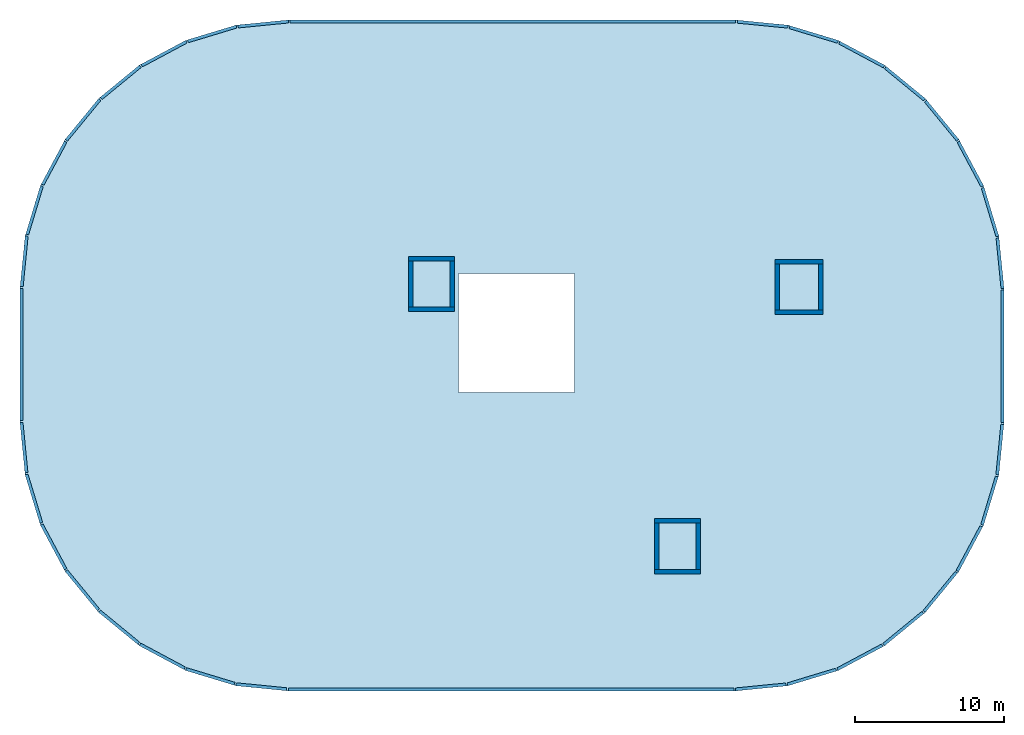
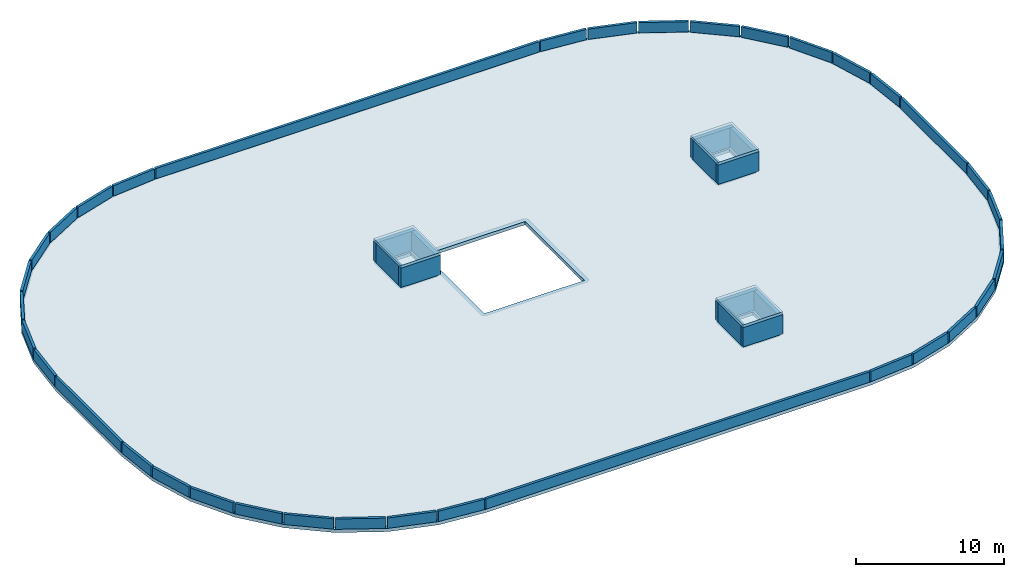
# One storey, part 1 of 2: 48 walls, 4 slabs, 1 element without a shape of its own.
"""IFC4 building model written with IfcOpenShell, lengths in metres."""

import ifcopenshell
import ifcopenshell.guid

model = None  # the IFC model being written
_history = None  # IfcOwnerHistory: only IFC2X3 demands one
_inside = {}  # id of a spatial element -> (the spatial element, [elements in it])
_under = {}  # id of a project, library or spatial element -> (it, [spatial elements below it])
_declared = {}  # id of a project -> (the project, [libraries it declares])
_typed = {}  # id of a type object -> (the type object, [elements of that type])
_made_of = {}  # id of a material, layer set ... -> (it, [elements and type objects made of it])


def new_model(schema):
    """Start an empty IFC model of exactly this schema.

    Asked for "IFC4X3", IfcOpenShell would pick the latest addendum, in which some entities
    have other attributes; the version numbers below select the first issue.
    IFC2X3 requires an IfcOwnerHistory on every rooted entity: one is made here for all.
    """
    global model, _history
    if schema == "IFC4X3":
        model = ifcopenshell.file(schema_version=(4, 3, 0, 0))
    else:
        model = ifcopenshell.file(schema=schema)
    _inside.clear()
    _under.clear()
    _declared.clear()
    _typed.clear()
    _made_of.clear()
    _history = None
    if model.schema == "IFC2X3":
        org = make("IfcOrganization", Name="unknown")
        user = make(
            "IfcPersonAndOrganization",
            ThePerson=make("IfcPerson", FamilyName="unknown"),
            TheOrganization=org,
        )
        app = make(
            "IfcApplication",
            ApplicationDeveloper=org,
            Version="unknown",
            ApplicationFullName="unknown",
            ApplicationIdentifier="unknown",
        )
        _history = make(
            "IfcOwnerHistory",
            OwningUser=user,
            OwningApplication=app,
            ChangeAction="ADDED",
            CreationDate=0,
        )
    return model


def make(cls, **values):
    """One entity of the class cls with the attributes given. An attribute that is None is left unset."""
    return model.create_entity(
        cls, **{name: value for name, value in values.items() if value is not None}
    )


def rooted(cls, **values):
    """An entity with a GlobalId (a new one), such as an element, a storey or a relation."""
    return make(cls, GlobalId=ifcopenshell.guid.new(), OwnerHistory=_history, **values)


def si_unit(unit_type, name, prefix=None):
    """IfcSIUnit, for example si_unit("LENGTHUNIT", "METRE", prefix="MILLI")."""
    return make("IfcSIUnit", UnitType=unit_type, Prefix=prefix, Name=name)


def assignment(units):
    """IfcUnitAssignment: the units of a project."""
    return None if units is None else make("IfcUnitAssignment", Units=units)


def point(xyz):
    """IfcCartesianPoint."""
    return None if xyz is None else make("IfcCartesianPoint", Coordinates=xyz)


def direction(xyz):
    """IfcDirection."""
    return None if xyz is None else make("IfcDirection", DirectionRatios=xyz)


def frame(location, z_axis=None, x_axis=None):
    """IfcAxis2Placement3D, a coordinate frame: its origin and axes. An axis left out is left unset."""
    return make(
        "IfcAxis2Placement3D",
        Location=point(location),
        Axis=direction(z_axis),
        RefDirection=direction(x_axis),
    )


def frame_2d(location, x_axis=None):
    """IfcAxis2Placement2D, a coordinate frame in the plane: its origin and x axis."""
    return make(
        "IfcAxis2Placement2D", Location=point(location), RefDirection=direction(x_axis)
    )


def origin():
    """The frame at (0, 0, 0) with its axes left unset."""
    return frame((0.0, 0.0, 0.0))


def place(relative_to, where):
    """IfcLocalPlacement: puts the frame where relative to a parent placement (None: the world)."""
    return make(
        "IfcLocalPlacement", PlacementRelTo=relative_to, RelativePlacement=where
    )


def context(
    kind, dimensions, precision=None, world=None, true_north=None, identifier=None
):
    """IfcGeometricRepresentationContext, for example the 3D "Model" context."""
    return make(
        "IfcGeometricRepresentationContext",
        ContextIdentifier=identifier,
        ContextType=kind,
        CoordinateSpaceDimension=dimensions,
        Precision=precision,
        WorldCoordinateSystem=world,
        TrueNorth=true_north,
    )


def subcontext(parent, identifier, kind, view, scale=None):
    """IfcGeometricRepresentationSubContext, for example "Body" below "Model"."""
    return make(
        "IfcGeometricRepresentationSubContext",
        ContextIdentifier=identifier,
        ContextType=kind,
        ParentContext=parent,
        TargetScale=scale,
        TargetView=view,
    )


def project(units=None, contexts=None):
    """IfcProject with its units and contexts."""
    return rooted(
        "IfcProject",
        Name="project",
        RepresentationContexts=contexts,
        UnitsInContext=assignment(units),
    )


def spatial(cls, under=None, at=None, **own):
    """A site, building, storey or space (cls), placed at a placement, below another one or the project."""
    s = rooted(cls, ObjectPlacement=at, **own)
    if under is not None:
        _under.setdefault(under.id(), (under, []))[1].append(s)
    return s


def polyline(points):
    """IfcPolyline through the points."""
    return make("IfcPolyline", Points=[point(p) for p in points])


def profile(cls, at=None, kind="AREA", **sizes):
    """A parametric profile (cls). Its sizes go by their IFC names, for example OverallWidth=200.0."""
    return make(cls, ProfileType=kind, Position=at, **sizes)


def rectangle(**sizes):
    """IfcRectangleProfileDef."""
    return profile("IfcRectangleProfileDef", **sizes)


def outline(outer, holes=None, kind="AREA"):
    """IfcArbitraryClosedProfileDef: a profile drawn as a closed curve; with holes, ...WithVoids."""
    if holes is None:
        return make("IfcArbitraryClosedProfileDef", ProfileType=kind, OuterCurve=outer)
    return make(
        "IfcArbitraryProfileDefWithVoids",
        ProfileType=kind,
        OuterCurve=outer,
        InnerCurves=holes,
    )


def extrude(swept, where, along, depth):
    """IfcExtrudedAreaSolid: the profile swept, set in the frame where, extruded along a direction by depth."""
    return make(
        "IfcExtrudedAreaSolid",
        SweptArea=swept,
        Position=where,
        ExtrudedDirection=direction(along),
        Depth=depth,
    )


def shape(context_of_items, identifier, shape_type, items):
    """IfcShapeRepresentation: the items that make up one representation, for example the "Body"."""
    return make(
        "IfcShapeRepresentation",
        ContextOfItems=context_of_items,
        RepresentationIdentifier=identifier,
        RepresentationType=shape_type,
        Items=items,
    )


def material(Name=None, Category=None):
    """IfcMaterial."""
    return make("IfcMaterial", Name=Name, Category=Category)


def layer(
    of_material, thickness, ventilated=None, Name=None, Category=None, Priority=None
):
    """IfcMaterialLayer: one layer of a wall or slab, of a material (None: an air gap)."""
    return make(
        "IfcMaterialLayer",
        Material=of_material,
        LayerThickness=thickness,
        IsVentilated=ventilated,
        Name=Name,
        Category=Category,
        Priority=Priority,
    )


def layer_set(layers, Name=None):
    """IfcMaterialLayerSet."""
    return make("IfcMaterialLayerSet", MaterialLayers=layers, LayerSetName=Name)


def made_of(thing, what):
    """Note that an element or type object is made of a material, layer set ...; save() writes the relation."""
    if what is not None:
        _made_of.setdefault(what.id(), (what, []))[1].append(thing)
    return thing


def type_object(cls, material=None, **own):
    """A type object (cls), such as IfcWallType, which elements share."""
    return made_of(rooted(cls, **own), material)


def element(
    cls,
    number,
    at=None,
    inside=None,
    cuts=None,
    type_object=None,
    material=None,
    context=None,
    identifier="Body",
    shape_type=None,
    held_by="IfcProductDefinitionShape",
    body=None,
    shapes=None,
    **own,
):
    """One element of the class cls, such as IfcWall. Its Tag is "e" and its number.

    at: its placement. inside: the storey or other place that contains it. cuts: it is an
    opening in that element (IfcRelVoidsElement). A single representation is given by context,
    identifier, shape_type and body (its items); several are given by shapes. held_by: the class
    of the entity that holds the representations. save() writes the other relations.
    """
    e = rooted(cls, Tag="e%d" % number, ObjectPlacement=at, **own)
    if body is not None:
        shapes = [shape(context, identifier, shape_type, body)]
    if shapes is not None:
        e.Representation = make(held_by, Representations=shapes)
    if inside is not None:
        _inside.setdefault(inside.id(), (inside, []))[1].append(e)
    if cuts is not None:
        rooted(
            "IfcRelVoidsElement", RelatingBuildingElement=cuts, RelatedOpeningElement=e
        )
    if type_object is not None:
        _typed.setdefault(type_object.id(), (type_object, []))[1].append(e)
    return made_of(e, material)


def aggregate(whole, parts):
    """IfcRelAggregates: a whole, such as a stair, and the parts it consists of."""
    return rooted("IfcRelAggregates", RelatingObject=whole, RelatedObjects=parts)


def save(model, path):
    """Write the relations noted so far, then the file.

    IfcRelAggregates (storeys below a building ...), IfcRelContainedInSpatialStructure (elements
    in a storey), IfcRelDefinesByType, IfcRelAssociatesMaterial and IfcRelDeclares: one each for
    every whole, place, type object, material and project.
    """
    for whole, parts in _under.values():
        aggregate(whole, parts)
    for where, things in _inside.values():
        rooted(
            "IfcRelContainedInSpatialStructure",
            RelatedElements=things,
            RelatingStructure=where,
        )
    for kind, things in _typed.values():
        rooted("IfcRelDefinesByType", RelatedObjects=things, RelatingType=kind)
    for what, things in _made_of.values():
        rooted("IfcRelAssociatesMaterial", RelatedObjects=things, RelatingMaterial=what)
    for by, libraries in _declared.values():
        rooted("IfcRelDeclares", RelatingContext=by, RelatedDefinitions=libraries)
    model.write(path)


model = new_model("IFC4")

# Units and contexts
model_context = context("Model", 3, precision=1e-05, world=origin(), true_north=direction((0.0, 1.0)))
body_context = subcontext(model_context, "Body", "Model", "MODEL_VIEW")
ifc_project = project(units=[si_unit("LENGTHUNIT", "METRE"), si_unit("AREAUNIT", "SQUARE_METRE"), si_unit("VOLUMEUNIT", "CUBIC_METRE"), si_unit("PLANEANGLEUNIT", "RADIAN"), si_unit("MASSUNIT", "GRAM", prefix="KILO")], contexts=[model_context])

# Site, building, storey
site_placement = place(None, origin())
site = spatial("IfcSite", under=ifc_project, at=site_placement, CompositionType="ELEMENT")
building_placement = place(site_placement, origin())
building = spatial("IfcBuilding", under=site, at=building_placement, Name="Montealbar Specialist Clinic", CompositionType="ELEMENT")
storey_placement = place(building_placement, frame((0.0, 0.0, 30.60009765625)))
storey = spatial("IfcBuildingStorey", under=building, at=storey_placement, Name="RF", CompositionType="ELEMENT", Elevation=30.60009765625)

# Roof, slab
ifc_material_1 = material(Name="Weatherproof roofing membrane", Category="concrete")
roof_type = type_object("IfcRoofType", Name="ROOF-CONT-FLAT", PredefinedType="FLAT_ROOF", material=ifc_material_1)
roof_placement = place(storey_placement, origin())
roof = element("IfcRoof", 1, at=roof_placement, inside=storey, type_object=roof_type, Name="Flat Roof Assembly ROOF-RF-01", PredefinedType="FLAT_ROOF")
ifc_material_2 = material(Name="Concrete C35/45", Category="concrete")
ifc_layer_1 = layer(ifc_material_2, 0.27001953125, Name="Concrete C35/45", Category="concrete")
ifc_layer_set_1 = layer_set([ifc_layer_1], Name="Concrete C35/45")
slab_type = type_object("IfcSlabType", Name="SL-ROOF-220", PredefinedType="ROOF", material=ifc_layer_set_1)
slab_1_placement = place(storey_placement, frame((0.0, 0.0, -0.27001953125)))
slab_1 = element("IfcSlab", 2, at=slab_1_placement, type_object=slab_type, Name="Roof Slab ROOF-RF-01", PredefinedType="ROOF", context=body_context, shape_type="SweptSolid", body=[
    extrude(outline(polyline([(48.033935546875, 43.0), (50.27197265625, 45.72802734375), (53.0, 47.966064453125), (56.112060546875, 49.6298828125), (59.488037109375, 50.654052734375), (63.0, 51.0), (93.0, 51.0), (96.511962890625, 50.654052734375), (99.887939453125, 49.6298828125), (103.0, 47.966064453125), (105.72802734375, 45.72802734375), (107.966064453125, 43.0), (109.6298828125, 39.887939453125), (110.654052734375, 36.511962890625), (111.0, 33.0), (111.0, 24.0), (110.654052734375, 20.488037109375), (109.6298828125, 17.112060546875), (107.966064453125, 14.0), (105.72802734375, 11.27197265625), (103.0, 9.033935546875), (99.887939453125, 7.3701171875), (96.511962890625, 6.345947265625), (93.0, 6.0), (63.0, 6.0), (59.488037109375, 6.345947265625), (56.112060546875, 7.3701171875), (53.0, 9.033935546875), (50.27197265625, 11.27197265625), (48.033935546875, 14.0), (46.3701171875, 17.112060546875), (45.345947265625, 20.488037109375), (45.0, 24.0), (45.0, 33.0), (45.345947265625, 36.511962890625), (46.3701171875, 39.887939453125), (48.033935546875, 43.0)]), holes=[polyline([(74.39990234375, 26.0), (82.199951171875, 26.0), (82.199951171875, 34.0), (74.39990234375, 34.0), (74.39990234375, 26.0)]), polyline([(71.199951171875, 31.60009765625), (73.699951171875, 31.60009765625), (73.699951171875, 34.699951171875), (71.199951171875, 34.699951171875), (71.199951171875, 31.60009765625)]), polyline([(87.699951171875, 17.10009765625), (87.699951171875, 14.0), (90.199951171875, 14.0), (90.199951171875, 17.10009765625), (87.699951171875, 17.10009765625)]), polyline([(98.39990234375, 34.5), (95.800048828125, 34.5), (95.800048828125, 31.39990234375), (98.39990234375, 31.39990234375), (98.39990234375, 34.5)])]), origin(), (0.0, 0.0, 1.0), 0.27001953125),
])
aggregate(roof, [slab_1])

# Slabs
slab_2_placement = place(storey_placement, frame((0.0, 0.0, 1.599853515625)))
element("IfcSlab", 3, at=slab_2_placement, inside=storey, type_object=slab_type, Name="Lift FL-01 Overrun Roof Slab", PredefinedType="ROOF", context=body_context, shape_type="SweptSolid", body=[
    extrude(outline(polyline([(71.050048828125, 31.449951171875), (74.14990234375, 31.449951171875), (74.14990234375, 35.14990234375), (71.050048828125, 35.14990234375), (71.050048828125, 31.449951171875)])), origin(), (0.0, 0.0, 1.0), 0.219970703125),
])
slab_3_placement = place(storey_placement, frame((0.0, 0.0, 1.599853515625)))
element("IfcSlab", 4, at=slab_3_placement, inside=storey, type_object=slab_type, Name="Lift FL-02 Overrun Roof Slab", PredefinedType="ROOF", context=body_context, shape_type="SweptSolid", body=[
    extrude(outline(polyline([(87.550048828125, 13.85009765625), (90.64990234375, 13.85009765625), (90.64990234375, 17.550048828125), (87.550048828125, 17.550048828125), (87.550048828125, 13.85009765625)])), origin(), (0.0, 0.0, 1.0), 0.219970703125),
])
slab_4_placement = place(storey_placement, frame((0.0, 0.0, 1.599853515625)))
element("IfcSlab", 5, at=slab_4_placement, inside=storey, type_object=slab_type, Name="Lift LF-03 Overrun Roof Slab", PredefinedType="ROOF", context=body_context, shape_type="SweptSolid", body=[
    extrude(outline(polyline([(95.64990234375, 31.25), (98.85009765625, 31.25), (98.85009765625, 34.949951171875), (95.64990234375, 34.949951171875), (95.64990234375, 31.25)])), origin(), (0.0, 0.0, 1.0), 0.219970703125),
])

# Walls
ifc_layer_2 = layer(ifc_material_2, 0.300048828125, Name="Concrete C35/45", Category="concrete")
ifc_layer_set_2 = layer_set([ifc_layer_2], Name="Concrete C35/45")
wall_type_1 = type_object("IfcWallType", Name="WL-CORE-300-EXT", PredefinedType="SHEAR", material=ifc_layer_set_2)
for number, where, z_axis, x_axis, name in (
    (6, (71.050048828125, 31.60009765625, 0.0), (0.0, 0.0, 1.0), (1.0, 0.0, 0.0), "Lift FL-01 Overrun Wall S"),
    (7, (71.050048828125, 35.0, 0.0), (0.0, 0.0, 1.0), (1.0, 0.0, 0.0), "Lift FL-01 Overrun Wall N"),
):
    element("IfcWall", number, at=place(storey_placement, frame(where, z_axis=z_axis, x_axis=x_axis)), inside=storey, type_object=wall_type_1, Name=name, PredefinedType="SHEAR", context=body_context, shape_type="SweptSolid", body=[
        extrude(rectangle(XDim=3.099853515625, YDim=0.300048828125, at=frame_2d((1.5498046875, 0.0))), origin(), (0.0, 0.0, 1.0), 1.599853515625),
    ])
for number, where, z_axis, x_axis, name in (
    (8, (71.199951171875, 31.60009765625, 0.0), (0.0, 0.0, 1.0), (0.0, 1.0, 0.0), "Lift FL-01 Overrun Wall W"),
    (9, (74.0, 31.60009765625, 0.0), (0.0, 0.0, 1.0), (0.0, 1.0, 0.0), "Lift FL-01 Overrun Wall E"),
):
    element("IfcWall", number, at=place(storey_placement, frame(where, z_axis=z_axis, x_axis=x_axis)), inside=storey, type_object=wall_type_1, Name=name, PredefinedType="SHEAR", context=body_context, shape_type="SweptSolid", body=[
        extrude(rectangle(XDim=3.39990234375, YDim=0.300048828125, at=frame_2d((1.699951171875, 0.0))), origin(), (0.0, 0.0, 1.0), 1.599853515625),
    ])
for number, where, z_axis, x_axis, name in (
    (10, (87.550048828125, 14.0, 0.0), (0.0, 0.0, 1.0), (1.0, 0.0, 0.0), "Lift FL-02 Overrun Wall S"),
    (11, (87.550048828125, 17.39990234375, 0.0), (0.0, 0.0, 1.0), (1.0, 0.0, 0.0), "Lift FL-02 Overrun Wall N"),
):
    element("IfcWall", number, at=place(storey_placement, frame(where, z_axis=z_axis, x_axis=x_axis)), inside=storey, type_object=wall_type_1, Name=name, PredefinedType="SHEAR", context=body_context, shape_type="SweptSolid", body=[
        extrude(rectangle(XDim=3.099853515625, YDim=0.300048828125, at=frame_2d((1.5498046875, 0.0))), origin(), (0.0, 0.0, 1.0), 1.599853515625),
    ])
for number, where, z_axis, x_axis, name in (
    (12, (87.699951171875, 14.0, 0.0), (0.0, 0.0, 1.0), (0.0, 1.0, 0.0), "Lift FL-02 Overrun Wall W"),
    (13, (90.5, 14.0, 0.0), (0.0, 0.0, 1.0), (0.0, 1.0, 0.0), "Lift FL-02 Overrun Wall E"),
):
    element("IfcWall", number, at=place(storey_placement, frame(where, z_axis=z_axis, x_axis=x_axis)), inside=storey, type_object=wall_type_1, Name=name, PredefinedType="SHEAR", context=body_context, shape_type="SweptSolid", body=[
        extrude(rectangle(XDim=3.39990234375, YDim=0.300048828125, at=frame_2d((1.699951171875, 0.0))), origin(), (0.0, 0.0, 1.0), 1.599853515625),
    ])
for number, where, z_axis, x_axis, name in (
    (14, (95.64990234375, 31.39990234375, 0.0), (0.0, 0.0, 1.0), (1.0, 0.0, 0.0), "Lift LF-03 Overrun Wall S"),
    (15, (95.64990234375, 34.800048828125, 0.0), (0.0, 0.0, 1.0), (1.0, 0.0, 0.0), "Lift LF-03 Overrun Wall N"),
):
    element("IfcWall", number, at=place(storey_placement, frame(where, z_axis=z_axis, x_axis=x_axis)), inside=storey, type_object=wall_type_1, Name=name, PredefinedType="SHEAR", context=body_context, shape_type="SweptSolid", body=[
        extrude(rectangle(XDim=3.2001953125, YDim=0.300048828125, at=frame_2d((1.60009765625, 0.0))), origin(), (0.0, 0.0, 1.0), 1.599853515625),
    ])
for number, where, z_axis, x_axis, name in (
    (16, (95.800048828125, 31.39990234375, 0.0), (0.0, 0.0, 1.0), (0.0, 1.0, 0.0), "Lift LF-03 Overrun Wall W"),
    (17, (98.699951171875, 31.39990234375, 0.0), (0.0, 0.0, 1.0), (0.0, 1.0, 0.0), "Lift LF-03 Overrun Wall E"),
):
    element("IfcWall", number, at=place(storey_placement, frame(where, z_axis=z_axis, x_axis=x_axis)), inside=storey, type_object=wall_type_1, Name=name, PredefinedType="SHEAR", context=body_context, shape_type="SweptSolid", body=[
        extrude(rectangle(XDim=3.400146484375, YDim=0.300048828125, at=frame_2d((1.7001953125, 0.0))), origin(), (0.0, 0.0, 1.0), 1.599853515625),
    ])
ifc_material_3 = material(Name="Precast concrete C40/50", Category="concrete")
ifc_layer_3 = layer(ifc_material_3, 0.199951171875, Name="Precast concrete C40/50", Category="concrete")
ifc_layer_set_3 = layer_set([ifc_layer_3], Name="Precast concrete C40/50")
wall_type_2 = type_object("IfcWallType", Name="WL-PARAPET-200", PredefinedType="PARAPET", material=ifc_layer_set_3)
wall_1_placement = place(storey_placement, frame((48.111083984375, 42.93701171875, 0.0), z_axis=(0.0, 0.0, 1.0), x_axis=(0.634258295121, 0.773121216285, 0.0)))
element("IfcWall", 18, at=wall_1_placement, inside=storey, type_object=wall_type_2, Name="Roof Parapet RF-074", PredefinedType="PARAPET", context=body_context, shape_type="SweptSolid", body=[
    extrude(rectangle(XDim=3.528564453125, YDim=0.199951171875, at=frame_2d((1.76416015625, 0.0))), origin(), (0.0, 0.0, 1.0), 0.849853515625),
])
wall_2_placement = place(storey_placement, frame((50.44091796875, 45.738037109375, 0.0), z_axis=(0.0, 0.0, 1.0), x_axis=(0.773154828325, 0.634217321931, 0.0)))
element("IfcWall", 19, at=wall_2_placement, inside=storey, type_object=wall_type_2, Name="Roof Parapet RF-075", PredefinedType="PARAPET", context=body_context, shape_type="SweptSolid", body=[
    extrude(rectangle(XDim=3.391357421875, YDim=0.199951171875, at=frame_2d((1.69580078125, 0.0))), origin(), (0.0, 0.0, 1.0), 0.849853515625),
])
wall_3_placement = place(storey_placement, frame((53.16796875, 47.943115234375, 0.0), z_axis=(0.0, 0.0, 1.0), x_axis=(0.881900192607, 0.471436157161, 0.0)))
element("IfcWall", 20, at=wall_3_placement, inside=storey, type_object=wall_type_2, Name="Roof Parapet RF-076", PredefinedType="PARAPET", context=body_context, shape_type="SweptSolid", body=[
    extrude(rectangle(XDim=3.3916015625, YDim=0.199951171875, at=frame_2d((1.69580078125, 0.0))), origin(), (0.0, 0.0, 1.0), 0.849853515625),
])
wall_4_placement = place(storey_placement, frame((56.27197265625, 49.573974609375, 0.0), z_axis=(0.0, 0.0, 1.0), x_axis=(0.956962014602, 0.290213201991, 0.0)))
element("IfcWall", 21, at=wall_4_placement, inside=storey, type_object=wall_type_2, Name="Roof Parapet RF-077", PredefinedType="PARAPET", context=body_context, shape_type="SweptSolid", body=[
    extrude(rectangle(XDim=3.39111328125, YDim=0.199951171875, at=frame_2d((1.695556640625, 0.0))), origin(), (0.0, 0.0, 1.0), 0.849853515625),
])
wall_5_placement = place(storey_placement, frame((59.634033203125, 50.56689453125, 0.0), z_axis=(0.0, 0.0, 1.0), x_axis=(0.995170248272, 0.098164030854, 0.0)))
element("IfcWall", 22, at=wall_5_placement, inside=storey, type_object=wall_type_2, Name="Roof Parapet RF-078", PredefinedType="PARAPET", context=body_context, shape_type="SweptSolid", body=[
    extrude(rectangle(XDim=3.392333984375, YDim=0.199951171875, at=frame_2d((1.6962890625, 0.0))), origin(), (0.0, 0.0, 1.0), 0.849853515625),
])
wall_6_placement = place(storey_placement, frame((63.1259765625, 50.89990234375, 0.0), z_axis=(0.0, 0.0, 1.0), x_axis=(1.0, 0.0, 0.0)))
element("IfcWall", 23, at=wall_6_placement, inside=storey, type_object=wall_type_2, Name="Roof Parapet RF-079", PredefinedType="PARAPET", context=body_context, shape_type="SweptSolid", body=[
    extrude(rectangle(XDim=29.8740234375, YDim=0.199951171875, at=frame_2d((14.93701171875, 0.0))), origin(), (0.0, 0.0, 1.0), 0.849853515625),
])
wall_7_placement = place(storey_placement, frame((93.114990234375, 50.887939453125, 0.0), z_axis=(0.0, 0.0, 1.0), x_axis=(0.99517332292, -0.098132855601, 0.0)))
element("IfcWall", 24, at=wall_7_placement, inside=storey, type_object=wall_type_2, Name="Roof Parapet RF-080", PredefinedType="PARAPET", context=body_context, shape_type="SweptSolid", body=[
    extrude(rectangle(XDim=3.4033203125, YDim=0.199951171875, at=frame_2d((1.70166015625, 0.0))), origin(), (0.0, 0.0, 1.0), 0.849853515625),
])
wall_8_placement = place(storey_placement, frame((96.614013671875, 50.51806640625, 0.0), z_axis=(0.0, 0.0, 1.0), x_axis=(0.956955950261, -0.290233198067, 0.0)))
element("IfcWall", 25, at=wall_8_placement, inside=storey, type_object=wall_type_2, Name="Roof Parapet RF-081", PredefinedType="PARAPET", context=body_context, shape_type="SweptSolid", body=[
    extrude(rectangle(XDim=3.390869140625, YDim=0.199951171875, at=frame_2d((1.6953125, 0.0))), origin(), (0.0, 0.0, 1.0), 0.849853515625),
])
for number, where, z_axis, x_axis, name in (
    (26, (99.9619140625, 49.47705078125, 0.0), (0.0, 0.0, 1.0), (0.881870262983, -0.471492141257, 0.0), "Roof Parapet RF-082"),
    (27, (103.04296875, 47.802001953125, 0.0), (0.0, 0.0, 1.0), (0.773119529385, -0.634260351342, 0.0), "Roof Parapet RF-083"),
):
    element("IfcWall", number, at=place(storey_placement, frame(where, z_axis=z_axis, x_axis=x_axis)), inside=storey, type_object=wall_type_2, Name=name, PredefinedType="PARAPET", context=body_context, shape_type="SweptSolid", body=[
        extrude(rectangle(XDim=3.3916015625, YDim=0.199951171875, at=frame_2d((1.69580078125, 0.0))), origin(), (0.0, 0.0, 1.0), 0.849853515625),
    ])
wall_9_placement = place(storey_placement, frame((105.738037109375, 45.55908203125, 0.0), z_axis=(0.0, 0.0, 1.0), x_axis=(0.634217321931, -0.773154828325, 0.0)))
element("IfcWall", 28, at=wall_9_placement, inside=storey, type_object=wall_type_2, Name="Roof Parapet RF-084", PredefinedType="PARAPET", context=body_context, shape_type="SweptSolid", body=[
    extrude(rectangle(XDim=3.391357421875, YDim=0.199951171875, at=frame_2d((1.69580078125, 0.0))), origin(), (0.0, 0.0, 1.0), 0.849853515625),
])
wall_10_placement = place(storey_placement, frame((107.943115234375, 42.83203125, 0.0), z_axis=(0.0, 0.0, 1.0), x_axis=(0.471436157161, -0.881900192607, 0.0)))
element("IfcWall", 29, at=wall_10_placement, inside=storey, type_object=wall_type_2, Name="Roof Parapet RF-085", PredefinedType="PARAPET", context=body_context, shape_type="SweptSolid", body=[
    extrude(rectangle(XDim=3.3916015625, YDim=0.199951171875, at=frame_2d((1.69580078125, 0.0))), origin(), (0.0, 0.0, 1.0), 0.849853515625),
])
wall_11_placement = place(storey_placement, frame((109.573974609375, 39.72802734375, 0.0), z_axis=(0.0, 0.0, 1.0), x_axis=(0.290213201991, -0.956962014602, 0.0)))
element("IfcWall", 30, at=wall_11_placement, inside=storey, type_object=wall_type_2, Name="Roof Parapet RF-086", PredefinedType="PARAPET", context=body_context, shape_type="SweptSolid", body=[
    extrude(rectangle(XDim=3.39111328125, YDim=0.199951171875, at=frame_2d((1.695556640625, 0.0))), origin(), (0.0, 0.0, 1.0), 0.849853515625),
])
wall_12_placement = place(storey_placement, frame((110.56689453125, 36.365966796875, 0.0), z_axis=(0.0, 0.0, 1.0), x_axis=(0.098164030854, -0.995170248272, 0.0)))
element("IfcWall", 31, at=wall_12_placement, inside=storey, type_object=wall_type_2, Name="Roof Parapet RF-087", PredefinedType="PARAPET", context=body_context, shape_type="SweptSolid", body=[
    extrude(rectangle(XDim=3.392333984375, YDim=0.199951171875, at=frame_2d((1.6962890625, 0.0))), origin(), (0.0, 0.0, 1.0), 0.849853515625),
])
wall_13_placement = place(storey_placement, frame((110.89990234375, 32.8740234375, 0.0), z_axis=(0.0, 0.0, 1.0), x_axis=(0.0, -1.0, 0.0)))
element("IfcWall", 32, at=wall_13_placement, inside=storey, type_object=wall_type_2, Name="Roof Parapet RF-088", PredefinedType="PARAPET", context=body_context, shape_type="SweptSolid", body=[
    extrude(rectangle(XDim=8.8740234375, YDim=0.199951171875, at=frame_2d((4.43701171875, 0.0))), origin(), (0.0, 0.0, 1.0), 0.849853515625),
])
wall_14_placement = place(storey_placement, frame((110.887939453125, 23.885009765625, 0.0), z_axis=(0.0, 0.0, 1.0), x_axis=(-0.098132855601, -0.99517332292, 0.0)))
element("IfcWall", 33, at=wall_14_placement, inside=storey, type_object=wall_type_2, Name="Roof Parapet RF-089", PredefinedType="PARAPET", context=body_context, shape_type="SweptSolid", body=[
    extrude(rectangle(XDim=3.4033203125, YDim=0.199951171875, at=frame_2d((1.70166015625, 0.0))), origin(), (0.0, 0.0, 1.0), 0.849853515625),
])
wall_15_placement = place(storey_placement, frame((110.51806640625, 20.385986328125, 0.0), z_axis=(0.0, 0.0, 1.0), x_axis=(-0.290233198067, -0.956955950261, 0.0)))
element("IfcWall", 34, at=wall_15_placement, inside=storey, type_object=wall_type_2, Name="Roof Parapet RF-090", PredefinedType="PARAPET", context=body_context, shape_type="SweptSolid", body=[
    extrude(rectangle(XDim=3.390869140625, YDim=0.199951171875, at=frame_2d((1.6953125, 0.0))), origin(), (0.0, 0.0, 1.0), 0.849853515625),
])
for number, where, z_axis, x_axis, name in (
    (35, (109.47705078125, 17.0380859375, 0.0), (0.0, 0.0, 1.0), (-0.471492141257, -0.881870262983, 0.0), "Roof Parapet RF-091"),
    (36, (107.802001953125, 13.95703125, 0.0), (0.0, 0.0, 1.0), (-0.634260351342, -0.773119529385, 0.0), "Roof Parapet RF-092"),
):
    element("IfcWall", number, at=place(storey_placement, frame(where, z_axis=z_axis, x_axis=x_axis)), inside=storey, type_object=wall_type_2, Name=name, PredefinedType="PARAPET", context=body_context, shape_type="SweptSolid", body=[
        extrude(rectangle(XDim=3.3916015625, YDim=0.199951171875, at=frame_2d((1.69580078125, 0.0))), origin(), (0.0, 0.0, 1.0), 0.849853515625),
    ])
wall_16_placement = place(storey_placement, frame((105.55908203125, 11.261962890625, 0.0), z_axis=(0.0, 0.0, 1.0), x_axis=(-0.773154828325, -0.634217321931, 0.0)))
element("IfcWall", 37, at=wall_16_placement, inside=storey, type_object=wall_type_2, Name="Roof Parapet RF-093", PredefinedType="PARAPET", context=body_context, shape_type="SweptSolid", body=[
    extrude(rectangle(XDim=3.391357421875, YDim=0.199951171875, at=frame_2d((1.69580078125, 0.0))), origin(), (0.0, 0.0, 1.0), 0.849853515625),
])
wall_17_placement = place(storey_placement, frame((102.83203125, 9.056884765625, 0.0), z_axis=(0.0, 0.0, 1.0), x_axis=(-0.881900192607, -0.471436157161, 0.0)))
element("IfcWall", 38, at=wall_17_placement, inside=storey, type_object=wall_type_2, Name="Roof Parapet RF-094", PredefinedType="PARAPET", context=body_context, shape_type="SweptSolid", body=[
    extrude(rectangle(XDim=3.3916015625, YDim=0.199951171875, at=frame_2d((1.69580078125, 0.0))), origin(), (0.0, 0.0, 1.0), 0.849853515625),
])
wall_18_placement = place(storey_placement, frame((99.72802734375, 7.426025390625, 0.0), z_axis=(0.0, 0.0, 1.0), x_axis=(-0.956962014602, -0.290213201991, 0.0)))
element("IfcWall", 39, at=wall_18_placement, inside=storey, type_object=wall_type_2, Name="Roof Parapet RF-095", PredefinedType="PARAPET", context=body_context, shape_type="SweptSolid", body=[
    extrude(rectangle(XDim=3.39111328125, YDim=0.199951171875, at=frame_2d((1.695556640625, 0.0))), origin(), (0.0, 0.0, 1.0), 0.849853515625),
])
wall_19_placement = place(storey_placement, frame((96.365966796875, 6.43310546875, 0.0), z_axis=(0.0, 0.0, 1.0), x_axis=(-0.995170248272, -0.098164030854, 0.0)))
element("IfcWall", 40, at=wall_19_placement, inside=storey, type_object=wall_type_2, Name="Roof Parapet RF-096", PredefinedType="PARAPET", context=body_context, shape_type="SweptSolid", body=[
    extrude(rectangle(XDim=3.392333984375, YDim=0.199951171875, at=frame_2d((1.6962890625, 0.0))), origin(), (0.0, 0.0, 1.0), 0.849853515625),
])
wall_20_placement = place(storey_placement, frame((92.8740234375, 6.10009765625, 0.0), z_axis=(0.0, 0.0, 1.0), x_axis=(-1.0, 0.0, 0.0)))
element("IfcWall", 41, at=wall_20_placement, inside=storey, type_object=wall_type_2, Name="Roof Parapet RF-097", PredefinedType="PARAPET", context=body_context, shape_type="SweptSolid", body=[
    extrude(rectangle(XDim=29.8740234375, YDim=0.199951171875, at=frame_2d((14.93701171875, 0.0))), origin(), (0.0, 0.0, 1.0), 0.849853515625),
])
wall_21_placement = place(storey_placement, frame((62.885009765625, 6.112060546875, 0.0), z_axis=(0.0, 0.0, 1.0), x_axis=(-0.99517332292, 0.098132855601, 0.0)))
element("IfcWall", 42, at=wall_21_placement, inside=storey, type_object=wall_type_2, Name="Roof Parapet RF-098", PredefinedType="PARAPET", context=body_context, shape_type="SweptSolid", body=[
    extrude(rectangle(XDim=3.4033203125, YDim=0.199951171875, at=frame_2d((1.70166015625, 0.0))), origin(), (0.0, 0.0, 1.0), 0.849853515625),
])
wall_22_placement = place(storey_placement, frame((59.385986328125, 6.48193359375, 0.0), z_axis=(0.0, 0.0, 1.0), x_axis=(-0.956955950261, 0.290233198067, 0.0)))
element("IfcWall", 43, at=wall_22_placement, inside=storey, type_object=wall_type_2, Name="Roof Parapet RF-099", PredefinedType="PARAPET", context=body_context, shape_type="SweptSolid", body=[
    extrude(rectangle(XDim=3.390869140625, YDim=0.199951171875, at=frame_2d((1.6953125, 0.0))), origin(), (0.0, 0.0, 1.0), 0.849853515625),
])
for number, where, z_axis, x_axis, name in (
    (44, (56.0380859375, 7.52294921875, 0.0), (0.0, 0.0, 1.0), (-0.881870262983, 0.471492141257, 0.0), "Roof Parapet RF-100"),
    (45, (52.95703125, 9.197998046875, 0.0), (0.0, 0.0, 1.0), (-0.773119529385, 0.634260351342, 0.0), "Roof Parapet RF-101"),
):
    element("IfcWall", number, at=place(storey_placement, frame(where, z_axis=z_axis, x_axis=x_axis)), inside=storey, type_object=wall_type_2, Name=name, PredefinedType="PARAPET", context=body_context, shape_type="SweptSolid", body=[
        extrude(rectangle(XDim=3.3916015625, YDim=0.199951171875, at=frame_2d((1.69580078125, 0.0))), origin(), (0.0, 0.0, 1.0), 0.849853515625),
    ])
wall_23_placement = place(storey_placement, frame((50.261962890625, 11.44091796875, 0.0), z_axis=(0.0, 0.0, 1.0), x_axis=(-0.634217321931, 0.773154828325, 0.0)))
element("IfcWall", 46, at=wall_23_placement, inside=storey, type_object=wall_type_2, Name="Roof Parapet RF-102", PredefinedType="PARAPET", context=body_context, shape_type="SweptSolid", body=[
    extrude(rectangle(XDim=3.391357421875, YDim=0.199951171875, at=frame_2d((1.69580078125, 0.0))), origin(), (0.0, 0.0, 1.0), 0.849853515625),
])
wall_24_placement = place(storey_placement, frame((48.056884765625, 14.16796875, 0.0), z_axis=(0.0, 0.0, 1.0), x_axis=(-0.471436157161, 0.881900192607, 0.0)))
element("IfcWall", 47, at=wall_24_placement, inside=storey, type_object=wall_type_2, Name="Roof Parapet RF-103", PredefinedType="PARAPET", context=body_context, shape_type="SweptSolid", body=[
    extrude(rectangle(XDim=3.3916015625, YDim=0.199951171875, at=frame_2d((1.69580078125, 0.0))), origin(), (0.0, 0.0, 1.0), 0.849853515625),
])
wall_25_placement = place(storey_placement, frame((46.426025390625, 17.27197265625, 0.0), z_axis=(0.0, 0.0, 1.0), x_axis=(-0.290213201991, 0.956962014602, 0.0)))
element("IfcWall", 48, at=wall_25_placement, inside=storey, type_object=wall_type_2, Name="Roof Parapet RF-104", PredefinedType="PARAPET", context=body_context, shape_type="SweptSolid", body=[
    extrude(rectangle(XDim=3.39111328125, YDim=0.199951171875, at=frame_2d((1.695556640625, 0.0))), origin(), (0.0, 0.0, 1.0), 0.849853515625),
])
wall_26_placement = place(storey_placement, frame((45.43310546875, 20.634033203125, 0.0), z_axis=(0.0, 0.0, 1.0), x_axis=(-0.098164030854, 0.995170248272, 0.0)))
element("IfcWall", 49, at=wall_26_placement, inside=storey, type_object=wall_type_2, Name="Roof Parapet RF-105", PredefinedType="PARAPET", context=body_context, shape_type="SweptSolid", body=[
    extrude(rectangle(XDim=3.392333984375, YDim=0.199951171875, at=frame_2d((1.6962890625, 0.0))), origin(), (0.0, 0.0, 1.0), 0.849853515625),
])
wall_27_placement = place(storey_placement, frame((45.10009765625, 24.1259765625, 0.0), z_axis=(0.0, 0.0, 1.0), x_axis=(0.0, 1.0, 0.0)))
element("IfcWall", 50, at=wall_27_placement, inside=storey, type_object=wall_type_2, Name="Roof Parapet RF-106", PredefinedType="PARAPET", context=body_context, shape_type="SweptSolid", body=[
    extrude(rectangle(XDim=8.8740234375, YDim=0.199951171875, at=frame_2d((4.43701171875, 0.0))), origin(), (0.0, 0.0, 1.0), 0.849853515625),
])
wall_28_placement = place(storey_placement, frame((45.112060546875, 33.114990234375, 0.0), z_axis=(0.0, 0.0, 1.0), x_axis=(0.098132855601, 0.99517332292, 0.0)))
element("IfcWall", 51, at=wall_28_placement, inside=storey, type_object=wall_type_2, Name="Roof Parapet RF-107", PredefinedType="PARAPET", context=body_context, shape_type="SweptSolid", body=[
    extrude(rectangle(XDim=3.4033203125, YDim=0.199951171875, at=frame_2d((1.70166015625, 0.0))), origin(), (0.0, 0.0, 1.0), 0.849853515625),
])
wall_29_placement = place(storey_placement, frame((45.48193359375, 36.614013671875, 0.0), z_axis=(0.0, 0.0, 1.0), x_axis=(0.290233198067, 0.956955950261, 0.0)))
element("IfcWall", 52, at=wall_29_placement, inside=storey, type_object=wall_type_2, Name="Roof Parapet RF-108", PredefinedType="PARAPET", context=body_context, shape_type="SweptSolid", body=[
    extrude(rectangle(XDim=3.390869140625, YDim=0.199951171875, at=frame_2d((1.6953125, 0.0))), origin(), (0.0, 0.0, 1.0), 0.849853515625),
])
wall_30_placement = place(storey_placement, frame((46.52294921875, 39.9619140625, 0.0), z_axis=(0.0, 0.0, 1.0), x_axis=(0.47135513776, 0.881943498251, 0.0)))
element("IfcWall", 53, at=wall_30_placement, inside=storey, type_object=wall_type_2, Name="Roof Parapet RF-109", PredefinedType="PARAPET", context=body_context, shape_type="SweptSolid", body=[
    extrude(rectangle(XDim=3.25439453125, YDim=0.199951171875, at=frame_2d((1.627197265625, 0.0))), origin(), (0.0, 0.0, 1.0), 0.849853515625),
])

save(model, "model.ifc")
